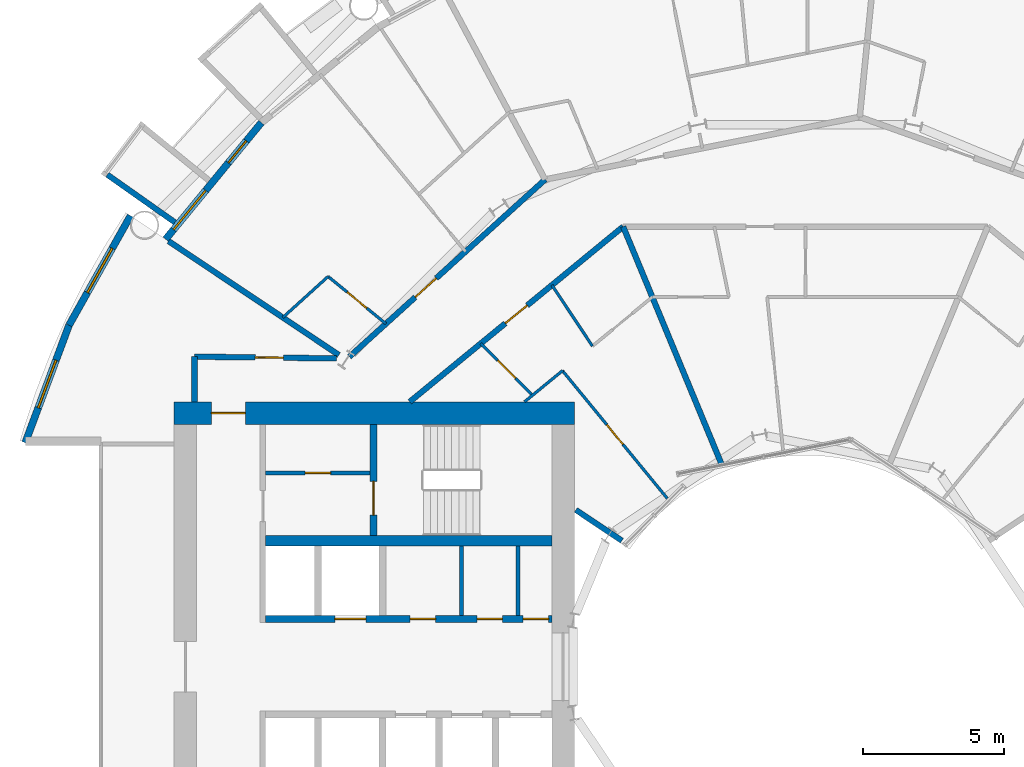
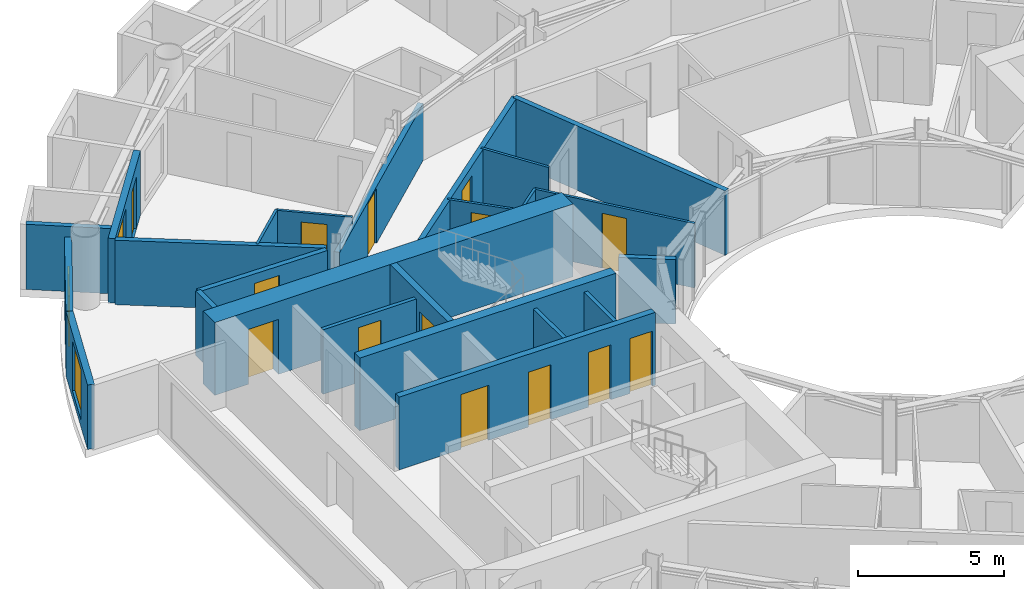
# One storey, part 18 of 26: 24 walls, 14 doors, 3 windows, 17 openings.
"""IFC4 building model written with IfcOpenShell, lengths in metres."""

from ifc_helpers import new_model, si_unit, direction, frame, frame_2d, origin, place, context, subcontext, project, spatial, rectangle, extrude, material, layer, layer_set, type_object, element, fill, save


model = new_model("IFC4")

# Units and contexts
model_context = context("Model", 3, precision=1e-05, world=origin(), true_north=direction((0.0, 1.0)))
body_context = subcontext(model_context, "Body", "Model", "MODEL_VIEW")
ifc_project = project(units=[si_unit("LENGTHUNIT", "METRE"), si_unit("AREAUNIT", "SQUARE_METRE"), si_unit("VOLUMEUNIT", "CUBIC_METRE"), si_unit("PLANEANGLEUNIT", "RADIAN"), si_unit("MASSUNIT", "GRAM", prefix="KILO")], contexts=[model_context])

# Site, building, storey
site_placement = place(None, origin())
site = spatial("IfcSite", under=ifc_project, at=site_placement, CompositionType="ELEMENT")
building_placement = place(site_placement, origin())
building = spatial("IfcBuilding", under=site, at=building_placement, Name="Maasbend Ring Residences", CompositionType="ELEMENT")
storey_placement = place(building_placement, frame((0.0, 0.0, 38.050048828125)))
storey = spatial("IfcBuildingStorey", under=building, at=storey_placement, Name="L10", CompositionType="ELEMENT", Elevation=38.050048828125)

# Wall, openings, doors
ifc_material_1 = material(Name="Concrete C70/85", Category="concrete")
ifc_layer_1 = layer(ifc_material_1, 0.25)
ifc_layer_set_1 = layer_set([ifc_layer_1], Name="Concrete C70/85")
wall_type_1 = type_object("IfcWallType", Name="CORE WALL 250 C70/85", PredefinedType="SHEAR", material=ifc_layer_set_1)
wall_1_placement = place(storey_placement, frame((-19.14990234375, 1.699951171875, 0.0), z_axis=(0.0, 0.0, 1.0), x_axis=(1.0, 0.0, 0.0)))
wall_1 = element("IfcWall", 1, at=wall_1_placement, inside=storey, type_object=wall_type_1, Name="L10 core W wall SPS", PredefinedType="SHEAR", context=body_context, shape_type="SweptSolid", body=[
    extrude(rectangle(XDim=10.14990234375, YDim=0.25, at=frame_2d((5.074951171875, 0.0))), origin(), (0.0, 0.0, 1.0), 3.050048828125),
])
opening_1_placement = place(wall_1_placement, frame((2.449951171875, 0.0, 0.0)))
opening_1 = element("IfcOpeningElement", 2, at=opening_1_placement, cuts=wall_1, Name="Opening LD-W1005", PredefinedType="OPENING", context=body_context, shape_type="SweptSolid", body=[
    extrude(rectangle(XDim=1.10009765625, YDim=2.300048828125, at=frame_2d((0.550048828125, 1.14990234375))), frame((0.0, 0.135009765625, 0.0), z_axis=(0.0, -1.0, 0.0), x_axis=(1.0, 0.0, 0.0)), (0.0, 0.0, 1.0), 0.27001953125),
])
opening_2_placement = place(wall_1_placement, frame((9.137451171875, 0.0, 0.0)))
opening_2 = element("IfcOpeningElement", 3, at=opening_2_placement, cuts=wall_1, Name="Opening D-W1006", PredefinedType="OPENING", context=body_context, shape_type="SweptSolid", body=[
    extrude(rectangle(XDim=0.89990234375, YDim=2.300048828125, at=frame_2d((0.449951171875, 1.14990234375))), frame((0.0, 0.135009765625, 0.0), z_axis=(0.0, -1.0, 0.0), x_axis=(1.0, 0.0, 0.0)), (0.0, 0.0, 1.0), 0.27001953125),
])
opening_3_placement = place(wall_1_placement, frame((7.5, 0.0, 0.0)))
opening_3 = element("IfcOpeningElement", 4, at=opening_3_placement, cuts=wall_1, Name="Opening D-W1007", PredefinedType="OPENING", context=body_context, shape_type="SweptSolid", body=[
    extrude(rectangle(XDim=0.89990234375, YDim=2.300048828125, at=frame_2d((0.449951171875, 1.14990234375))), frame((0.0, 0.135009765625, 0.0), z_axis=(0.0, -1.0, 0.0), x_axis=(1.0, 0.0, 0.0)), (0.0, 0.0, 1.0), 0.27001953125),
])
opening_4_placement = place(wall_1_placement, frame((5.125, 0.0, 0.0)))
opening_4 = element("IfcOpeningElement", 5, at=opening_4_placement, cuts=wall_1, Name="Opening D-W1008", PredefinedType="OPENING", context=body_context, shape_type="SweptSolid", body=[
    extrude(rectangle(XDim=0.89990234375, YDim=2.300048828125, at=frame_2d((0.449951171875, 1.14990234375))), frame((0.0, 0.135009765625, 0.0), z_axis=(0.0, -1.0, 0.0), x_axis=(1.0, 0.0, 0.0)), (0.0, 0.0, 1.0), 0.27001953125),
])
ifc_material_2 = material(Name="Stainless steel 316", Category="steel")
door_type_1 = type_object("IfcDoorType", Name="LANDING DOOR 1100 X 2300 FD60", OperationType="DOUBLE_DOOR_SLIDING", PredefinedType="DOOR", material=ifc_material_2)
door_1_placement = place(opening_1_placement, origin())
door_1 = element("IfcDoor", 6, at=door_1_placement, inside=storey, type_object=door_type_1, Name="Landing door SV-W L10", OperationType="DOUBLE_DOOR_SLIDING", OverallHeight=2.300048828125, OverallWidth=1.10009765625, PredefinedType="DOOR", context=body_context, shape_type="SweptSolid", body=[
    extrude(rectangle(XDim=1.10009765625, YDim=2.300048828125, at=frame_2d((0.550048828125, 1.14990234375))), frame((0.0, 0.02490234375, 0.0), z_axis=(0.0, -1.0, 0.0), x_axis=(1.0, 0.0, 0.0)), (0.0, 0.0, 1.0), 0.050048828125),
])
fill(opening_1, door_1)
ifc_material_3 = material(Name="Steel, powder coated", Category="steel")
door_type_2 = type_object("IfcDoorType", Name="ROOM DOOR 900 X 2300 FD30S", OperationType="NOTDEFINED", PredefinedType="DOOR", material=ifc_material_3)
door_2_placement = place(opening_2_placement, origin())
door_2 = element("IfcDoor", 7, at=door_2_placement, inside=storey, type_object=door_type_2, Name="Room door L10", OperationType="SINGLE_SWING_LEFT", OverallHeight=2.300048828125, OverallWidth=0.89990234375, PredefinedType="DOOR", context=body_context, shape_type="SweptSolid", body=[
    extrude(rectangle(XDim=0.89990234375, YDim=2.300048828125, at=frame_2d((0.449951171875, 1.14990234375))), frame((0.0, 0.02490234375, 0.0), z_axis=(0.0, -1.0, 0.0), x_axis=(1.0, 0.0, 0.0)), (0.0, 0.0, 1.0), 0.050048828125),
])
fill(opening_2, door_2)
door_3_placement = place(opening_3_placement, origin())
door_3 = element("IfcDoor", 8, at=door_3_placement, inside=storey, type_object=door_type_2, Name="Room door L10", OperationType="SINGLE_SWING_LEFT", OverallHeight=2.300048828125, OverallWidth=0.89990234375, PredefinedType="DOOR", context=body_context, shape_type="SweptSolid", body=[
    extrude(rectangle(XDim=0.89990234375, YDim=2.300048828125, at=frame_2d((0.449951171875, 1.14990234375))), frame((0.0, 0.02490234375, 0.0), z_axis=(0.0, -1.0, 0.0), x_axis=(1.0, 0.0, 0.0)), (0.0, 0.0, 1.0), 0.050048828125),
])
fill(opening_3, door_3)
door_4_placement = place(opening_4_placement, origin())
door_4 = element("IfcDoor", 9, at=door_4_placement, inside=storey, type_object=door_type_2, Name="Room door L10", OperationType="SINGLE_SWING_LEFT", OverallHeight=2.300048828125, OverallWidth=0.89990234375, PredefinedType="DOOR", context=body_context, shape_type="SweptSolid", body=[
    extrude(rectangle(XDim=0.89990234375, YDim=2.300048828125, at=frame_2d((0.449951171875, 1.14990234375))), frame((0.0, 0.02490234375, 0.0), z_axis=(0.0, -1.0, 0.0), x_axis=(1.0, 0.0, 0.0)), (0.0, 0.0, 1.0), 0.050048828125),
])
fill(opening_4, door_4)

# Wall, opening, door
wall_2_placement = place(storey_placement, frame((-15.324951171875, 8.60009765625, 0.0), z_axis=(0.0, 0.0, 1.0), x_axis=(0.0, -1.0, 0.0)))
wall_2 = element("IfcWall", 10, at=wall_2_placement, inside=storey, type_object=wall_type_1, Name="L10 core W wall STES", PredefinedType="SHEAR", context=body_context, shape_type="SweptSolid", body=[
    extrude(rectangle(XDim=3.9501953125, YDim=0.25, at=frame_2d((1.97509765625, 0.0))), origin(), (0.0, 0.0, 1.0), 3.050048828125),
])
opening_5_placement = place(wall_2_placement, frame((2.02490234375, 0.0, 0.0)))
opening_5 = element("IfcOpeningElement", 11, at=opening_5_placement, cuts=wall_2, Name="Opening D-W1011", PredefinedType="OPENING", context=body_context, shape_type="SweptSolid", body=[
    extrude(rectangle(XDim=1.199951171875, YDim=2.300048828125, at=frame_2d((0.60009765625, 1.14990234375))), frame((0.0, 0.135009765625, 0.0), z_axis=(0.0, -1.0, 0.0), x_axis=(1.0, 0.0, 0.0)), (0.0, 0.0, 1.0), 0.27001953125),
])
ifc_material_4 = material(Name="Steel, powder coated", Category="steel")
door_type_3 = type_object("IfcDoorType", Name="STAIR DOOR 1200 X 2300 FD60", OperationType="NOTDEFINED", PredefinedType="DOOR", material=ifc_material_4)
door_5_placement = place(opening_5_placement, origin())
door_5 = element("IfcDoor", 12, at=door_5_placement, inside=storey, type_object=door_type_3, Name="Stair door ST-W L10", OperationType="SINGLE_SWING_LEFT", OverallHeight=2.300048828125, OverallWidth=1.199951171875, PredefinedType="DOOR", context=body_context, shape_type="SweptSolid", body=[
    extrude(rectangle(XDim=1.199951171875, YDim=2.300048828125, at=frame_2d((0.60009765625, 1.14990234375))), frame((0.0, 0.02490234375, 0.0), z_axis=(0.0, -1.0, 0.0), x_axis=(1.0, 0.0, 0.0)), (0.0, 0.0, 1.0), 0.050048828125),
])
fill(opening_5, door_5)

# Wall
ifc_material_5 = material(Name="Concrete C70/85", Category="concrete")
ifc_layer_2 = layer(ifc_material_5, 0.375)
ifc_layer_set_2 = layer_set([ifc_layer_2], Name="Concrete C70/85")
wall_type_2 = type_object("IfcWallType", Name="CORE WALL 375 C70/85", PredefinedType="SHEAR", material=ifc_layer_set_2)
wall_3_placement = place(storey_placement, frame((-9.0, 4.46240234375, 0.0), z_axis=(0.0, 0.0, 1.0), x_axis=(-1.0, 0.0, 0.0)))
element("IfcWall", 13, at=wall_3_placement, inside=storey, type_object=wall_type_2, Name="L10 core W wall BS", PredefinedType="SHEAR", context=body_context, shape_type="SweptSolid", body=[
    extrude(rectangle(XDim=10.14990234375, YDim=0.375, at=frame_2d((5.074951171875, 0.0))), origin(), (0.0, 0.0, 1.0), 3.050048828125),
])

# Wall, opening, door
ifc_material_6 = material(Name="Concrete C70/85", Category="concrete")
ifc_layer_3 = layer(ifc_material_6, 0.800048828125)
ifc_layer_set_3 = layer_set([ifc_layer_3], Name="Concrete C70/85")
wall_type_3 = type_object("IfcWallType", Name="CORE WALL 800 C70/85", PredefinedType="SHEAR", material=ifc_layer_set_3)
wall_4_placement = place(storey_placement, frame((-8.199951171875, 9.0, 0.0), z_axis=(0.0, 0.0, 1.0), x_axis=(-1.0, 0.0, 0.0)))
wall_4 = element("IfcWall", 14, at=wall_4_placement, inside=storey, type_object=wall_type_3, Name="L10 core W wall PS", PredefinedType="SHEAR", context=body_context, shape_type="SweptSolid", body=[
    extrude(rectangle(XDim=14.199951171875, YDim=0.800048828125, at=frame_2d((7.10009765625, 0.0))), origin(), (0.0, 0.0, 1.0), 3.050048828125),
])
opening_6_placement = place(wall_4_placement, frame((11.675048828125, 0.0, 0.0)))
opening_6 = element("IfcOpeningElement", 15, at=opening_6_placement, cuts=wall_4, Name="Opening D-W1015", PredefinedType="OPENING", context=body_context, shape_type="SweptSolid", body=[
    extrude(rectangle(XDim=1.199951171875, YDim=2.300048828125, at=frame_2d((0.60009765625, 1.14990234375))), frame((0.0, 0.41015625, 0.0), z_axis=(0.0, -1.0, 0.0), x_axis=(1.0, 0.0, 0.0)), (0.0, 0.0, 1.0), 0.820068359375),
])
ifc_material_7 = material(Name="Steel, powder coated", Category="steel")
door_type_4 = type_object("IfcDoorType", Name="CORRIDOR DOOR 1200 X 2300 FD30S", OperationType="NOTDEFINED", PredefinedType="DOOR", material=ifc_material_7)
door_6_placement = place(opening_6_placement, origin())
door_6 = element("IfcDoor", 16, at=door_6_placement, inside=storey, type_object=door_type_4, Name="Corridor door L10", OperationType="SINGLE_SWING_LEFT", OverallHeight=2.300048828125, OverallWidth=1.199951171875, PredefinedType="DOOR", context=body_context, shape_type="SweptSolid", body=[
    extrude(rectangle(XDim=1.199951171875, YDim=2.300048828125, at=frame_2d((0.60009765625, 1.14990234375))), frame((0.0, 0.02490234375, 0.0), z_axis=(0.0, -1.0, 0.0), x_axis=(1.0, 0.0, 0.0)), (0.0, 0.0, 1.0), 0.050048828125),
])
fill(opening_6, door_6)

ifc_material_8 = material(Name="Concrete C30/37", Category="concrete")
ifc_layer_4 = layer(ifc_material_8, 0.199951171875)
ifc_layer_set_4 = layer_set([ifc_layer_4], Name="Concrete C30/37")
wall_type_4 = type_object("IfcWallType", Name="CORRIDOR WALL 200 CONCRETE", PredefinedType="PARTITIONING", material=ifc_layer_set_4)
wall_5_placement = place(storey_placement, frame((-21.675048828125, 11.0, 0.0), z_axis=(0.0, 0.0, 1.0), x_axis=(0.999926652916, -0.012111514691, 0.0)))
wall_5 = element("IfcWall", 17, at=wall_5_placement, inside=storey, type_object=wall_type_4, Name="U-L10-w095", PredefinedType="PARTITIONING", context=body_context, shape_type="SweptSolid", body=[
    extrude(rectangle(XDim=5.03955078125, YDim=0.199951171875, at=frame_2d((2.519775390625, 0.0))), origin(), (0.0, 0.0, 1.0), 2.699951171875),
])
opening_7_placement = place(wall_5_placement, frame((2.154052734375, 0.0, 0.0)))
opening_7 = element("IfcOpeningElement", 18, at=opening_7_placement, cuts=wall_5, Name="Opening D-1066", PredefinedType="OPENING", context=body_context, shape_type="SweptSolid", body=[
    extrude(rectangle(XDim=1.0, YDim=2.300048828125, at=frame_2d((0.5, 1.14990234375))), frame((0.0, 0.10986328125, 0.0), z_axis=(0.0, -1.0, 0.0), x_axis=(1.0, 0.0, 0.0)), (0.0, 0.0, 1.0), 0.219970703125),
])
ifc_material_9 = material(Name="Timber, painted", Category="wood")
door_type_5 = type_object("IfcDoorType", Name="ROOM DOOR 1000 X 2300", OperationType="NOTDEFINED", PredefinedType="DOOR", material=ifc_material_9)
door_7_placement = place(opening_7_placement, origin())
door_7 = element("IfcDoor", 19, at=door_7_placement, inside=storey, type_object=door_type_5, Name="D-1066", OperationType="SINGLE_SWING_RIGHT", OverallHeight=2.300048828125, OverallWidth=1.0, PredefinedType="DOOR", context=body_context, shape_type="SweptSolid", body=[
    extrude(rectangle(XDim=1.0, YDim=2.300048828125, at=frame_2d((0.5, 1.14990234375))), frame((0.0, 0.02490234375, 0.0), z_axis=(0.0, -1.0, 0.0), x_axis=(1.0, 0.0, 0.0)), (0.0, 0.0, 1.0), 0.050048828125),
])
fill(opening_7, door_7)

wall_6_placement = place(storey_placement, frame((-14.0390625, 9.39990234375, 0.0), z_axis=(0.0, 0.0, 1.0), x_axis=(0.77298340166, 0.634426245326, 0.0)))
wall_6 = element("IfcWall", 20, at=wall_6_placement, inside=storey, type_object=wall_type_4, Name="U-L10-w103", PredefinedType="PARTITIONING", context=body_context, shape_type="SweptSolid", body=[
    extrude(rectangle(XDim=9.793212890625, YDim=0.199951171875, at=frame_2d((4.896484375, 0.0))), origin(), (0.0, 0.0, 1.0), 2.699951171875),
])
opening_8_placement = place(wall_6_placement, frame((4.388916015625, 0.0, 0.0)))
opening_8 = element("IfcOpeningElement", 21, at=opening_8_placement, cuts=wall_6, Name="Opening D-1029", PredefinedType="OPENING", context=body_context, shape_type="SweptSolid", body=[
    extrude(rectangle(XDim=1.0, YDim=2.300048828125, at=frame_2d((0.5, 1.14990234375))), frame((0.0, 0.10986328125, 0.0), z_axis=(0.0, -1.0, 0.0), x_axis=(1.0, 0.0, 0.0)), (0.0, 0.0, 1.0), 0.219970703125),
])
ifc_material_10 = material(Name="Timber, fire-rated, painted", Category="wood")
door_type_6 = type_object("IfcDoorType", Name="FLAT ENTRANCE DOOR 1000 X 2300 FIRE-RATED", OperationType="NOTDEFINED", PredefinedType="DOOR", material=ifc_material_10)
door_8_placement = place(opening_8_placement, origin())
door_8 = element("IfcDoor", 22, at=door_8_placement, inside=storey, type_object=door_type_6, Name="D-1029", OperationType="SINGLE_SWING_LEFT", OverallHeight=2.300048828125, OverallWidth=1.0, PredefinedType="DOOR", context=body_context, shape_type="SweptSolid", body=[
    extrude(rectangle(XDim=1.0, YDim=2.300048828125, at=frame_2d((0.5, 1.14990234375))), frame((0.0, 0.02490234375, 0.0), z_axis=(0.0, -1.0, 0.0), x_axis=(1.0, 0.0, 0.0)), (0.0, 0.0, 1.0), 0.050048828125),
])
fill(opening_8, door_8)

wall_7_placement = place(storey_placement, frame((-16.179931640625, 10.9951171875, 0.0), z_axis=(0.0, 0.0, 1.0), x_axis=(0.74112906966, 0.671362571272, 0.0)))
wall_7 = element("IfcWall", 23, at=wall_7_placement, inside=storey, type_object=wall_type_4, Name="U-L10-w106", PredefinedType="PARTITIONING", context=body_context, shape_type="SweptSolid", body=[
    extrude(rectangle(XDim=9.375, YDim=0.199951171875, at=frame_2d((4.6875, 0.0))), origin(), (0.0, 0.0, 1.0), 2.3798828125),
])
opening_9_placement = place(wall_7_placement, frame((3.152099609375, 0.0, 0.0)))
opening_9 = element("IfcOpeningElement", 24, at=opening_9_placement, cuts=wall_7, Name="Opening D-1016", PredefinedType="OPENING", context=body_context, shape_type="SweptSolid", body=[
    extrude(rectangle(XDim=1.0, YDim=2.300048828125, at=frame_2d((0.5, 1.14990234375))), frame((0.0, 0.10986328125, 0.0), z_axis=(0.0, -1.0, 0.0), x_axis=(1.0, 0.0, 0.0)), (0.0, 0.0, 1.0), 0.219970703125),
])
door_9_placement = place(opening_9_placement, origin())
door_9 = element("IfcDoor", 25, at=door_9_placement, inside=storey, type_object=door_type_6, Name="D-1016", OperationType="SINGLE_SWING_LEFT", OverallHeight=2.300048828125, OverallWidth=1.0, PredefinedType="DOOR", context=body_context, shape_type="SweptSolid", body=[
    extrude(rectangle(XDim=1.0, YDim=2.300048828125, at=frame_2d((0.5, 1.14990234375))), frame((0.0, 0.02490234375, 0.0), z_axis=(0.0, -1.0, 0.0), x_axis=(1.0, 0.0, 0.0)), (0.0, 0.0, 1.0), 0.050048828125),
])
fill(opening_9, door_9)

# Walls
wall_8_placement = place(storey_placement, frame((-21.675048828125, 9.39990234375, 0.0), z_axis=(0.0, 0.0, 1.0), x_axis=(0.0, 1.0, 0.0)))
element("IfcWall", 26, at=wall_8_placement, inside=storey, type_object=wall_type_4, Name="U-L10-w116", PredefinedType="PARTITIONING", context=body_context, shape_type="SweptSolid", body=[
    extrude(rectangle(XDim=1.60009765625, YDim=0.199951171875, at=frame_2d((0.800048828125, 0.0))), origin(), (0.0, 0.0, 1.0), 2.699951171875),
])
ifc_material_11 = material(Name="Pale anodised aluminium panel", Category="aluminium")
ifc_layer_5 = layer(ifc_material_11, 0.199951171875)
ifc_layer_set_5 = layer_set([ifc_layer_5], Name="EW-BOX")
wall_type_5 = type_object("IfcWallType", Name="EW-BOX", PredefinedType="SOLIDWALL", material=ifc_layer_set_5)
wall_9_placement = place(storey_placement, frame((-22.3701171875, 15.764892578125, -0.030029296875), z_axis=(0.0, 0.0, 1.0), x_axis=(-0.817256123454, 0.576274612209, 0.0)))
element("IfcWall", 27, at=wall_9_placement, inside=storey, type_object=wall_type_5, Name="Box side wall N20 right", PredefinedType="SOLIDWALL", context=body_context, shape_type="SweptSolid", body=[
    extrude(rectangle(XDim=2.932861328125, YDim=0.199951171875, at=frame_2d((1.46630859375, 0.0))), origin(), (0.0, 0.0, 1.0), 2.72998046875),
])

# Wall, openings, door, window
ifc_material_12 = material(Name="Aluminium clad insulated panel", Category="aluminium")
ifc_layer_6 = layer(ifc_material_12, 0.25)
ifc_layer_set_6 = layer_set([ifc_layer_6], Name="EW-GL")
wall_type_6 = type_object("IfcWallType", Name="EW-GL", PredefinedType="SOLIDWALL", material=ifc_layer_set_6)
wall_10_placement = place(storey_placement, frame((-19.303955078125, 19.303955078125, 0.0), z_axis=(0.0, 0.0, 1.0), x_axis=(-0.634382322723, -0.773019449054, 0.0)))
wall_10 = element("IfcWall", 28, at=wall_10_placement, inside=storey, type_object=wall_type_6, Name="External wall N10", PredefinedType="SOLIDWALL", context=body_context, shape_type="SweptSolid", body=[
    extrude(rectangle(XDim=5.351806640625, YDim=0.25, at=frame_2d((2.67578125, 0.0))), origin(), (0.0, 0.0, 1.0), 2.699951171875),
])
opening_10_placement = place(wall_10_placement, frame((0.841064453125, 0.0, 0.0)))
opening_10 = element("IfcOpeningElement", 29, at=opening_10_placement, cuts=wall_10, Name="Opening D-LG", PredefinedType="OPENING", context=body_context, shape_type="SweptSolid", body=[
    extrude(rectangle(XDim=1.0, YDim=2.199951171875, at=frame_2d((0.5, 1.10009765625))), frame((0.0, 0.135009765625, 0.0), z_axis=(0.0, -1.0, 0.0), x_axis=(1.0, 0.0, 0.0)), (0.0, 0.0, 1.0), 0.27001953125),
])
opening_11_placement = place(wall_10_placement, frame((3.110595703125, 0.0, 0.300048828125)))
opening_11 = element("IfcOpeningElement", 30, at=opening_11_placement, cuts=wall_10, Name="Opening W-BX", PredefinedType="OPENING", context=body_context, shape_type="SweptSolid", body=[
    extrude(rectangle(XDim=1.800048828125, YDim=2.10009765625, at=frame_2d((0.89990234375, 1.050048828125))), frame((0.0, 0.135009765625, 0.0), z_axis=(0.0, -1.0, 0.0), x_axis=(1.0, 0.0, 0.0)), (0.0, 0.0, 1.0), 0.27001953125),
])
ifc_material_13 = material(Name="Aluminium and clear glass", Category="aluminium")
door_type_7 = type_object("IfcDoorType", Name="D-LG", OperationType="SINGLE_SWING_LEFT", PredefinedType="DOOR", material=ifc_material_13)
door_10_placement = place(opening_10_placement, origin())
door_10 = element("IfcDoor", 31, at=door_10_placement, inside=storey, type_object=door_type_7, Name="Loggia door N19", OperationType="SINGLE_SWING_LEFT", OverallHeight=2.199951171875, OverallWidth=1.0, PredefinedType="DOOR", context=body_context, shape_type="SweptSolid", body=[
    extrude(rectangle(XDim=1.0, YDim=2.199951171875, at=frame_2d((0.5, 1.10009765625))), frame((0.0, 0.02490234375, 0.0), z_axis=(0.0, -1.0, 0.0), x_axis=(1.0, 0.0, 0.0)), (0.0, 0.0, 1.0), 0.050048828125),
])
fill(opening_10, door_10)
ifc_material_14 = material(Name="Aluminium and clear glass", Category="aluminium")
window_type = type_object("IfcWindowType", Name="W-BX", PartitioningType="DOUBLE_PANEL_VERTICAL", PredefinedType="WINDOW", material=ifc_material_14)
window_1_placement = place(opening_11_placement, origin())
window_1 = element("IfcWindow", 32, at=window_1_placement, inside=storey, type_object=window_type, Name="Window N20 room to box", OverallHeight=2.10009765625, OverallWidth=1.800048828125, PartitioningType="SINGLE_PANEL", PredefinedType="WINDOW", context=body_context, shape_type="SweptSolid", body=[
    extrude(rectangle(XDim=1.800048828125, YDim=2.10009765625, at=frame_2d((0.89990234375, 1.050048828125))), frame((0.0, 0.030029296875, 0.0), z_axis=(0.0, -1.0, 0.0), x_axis=(1.0, 0.0, 0.0)), (0.0, 0.0, 1.0), 0.06005859375),
])
fill(opening_11, window_1)

# Wall, opening, window
ifc_material_15 = material(Name="Aluminium clad insulated panel", Category="aluminium")
ifc_layer_7 = layer(ifc_material_15, 0.25)
ifc_layer_set_7 = layer_set([ifc_layer_7], Name="EW-HORN")
wall_type_7 = type_object("IfcWallType", Name="EW-HORN", PredefinedType="SOLIDWALL", material=ifc_layer_set_7)
wall_11_placement = place(storey_placement, frame((-23.946044921875, 16.0, 0.0), z_axis=(0.0, 0.0, 1.0), x_axis=(-0.489696356642, -0.871893042919, 0.0)))
wall_11 = element("IfcWall", 33, at=wall_11_placement, inside=storey, type_object=wall_type_7, Name="Horn wall 4.1", PredefinedType="SOLIDWALL", context=body_context, shape_type="SweptSolid", body=[
    extrude(rectangle(XDim=4.45361328125, YDim=0.25, at=frame_2d((2.226806640625, 0.0))), origin(), (0.0, 0.0, 1.0), 2.699951171875),
])
opening_12_placement = place(wall_11_placement, frame((1.32666015625, 0.0, 0.300048828125)))
opening_12 = element("IfcOpeningElement", 34, at=opening_12_placement, cuts=wall_11, Name="Opening W-BX", PredefinedType="OPENING", context=body_context, shape_type="SweptSolid", body=[
    extrude(rectangle(XDim=1.800048828125, YDim=2.10009765625, at=frame_2d((0.89990234375, 1.050048828125))), frame((0.0, 0.135009765625, 0.0), z_axis=(0.0, -1.0, 0.0), x_axis=(1.0, 0.0, 0.0)), (0.0, 0.0, 1.0), 0.27001953125),
])
window_2_placement = place(opening_12_placement, origin())
window_2 = element("IfcWindow", 35, at=window_2_placement, inside=storey, type_object=window_type, Name="Horn window 4.1", OverallHeight=2.10009765625, OverallWidth=1.800048828125, PartitioningType="SINGLE_PANEL", PredefinedType="WINDOW", context=body_context, shape_type="SweptSolid", body=[
    extrude(rectangle(XDim=1.800048828125, YDim=2.10009765625, at=frame_2d((0.89990234375, 1.050048828125))), frame((0.0, 0.030029296875, 0.0), z_axis=(0.0, -1.0, 0.0), x_axis=(1.0, 0.0, 0.0)), (0.0, 0.0, 1.0), 0.06005859375),
])
fill(opening_12, window_2)

wall_12_placement = place(storey_placement, frame((-26.126953125, 12.116943359375, 0.0), z_axis=(0.0, 0.0, 1.0), x_axis=(-0.349247811493, -0.937030397675, 0.0)))
wall_12 = element("IfcWall", 36, at=wall_12_placement, inside=storey, type_object=wall_type_7, Name="Horn wall 4.2", PredefinedType="SOLIDWALL", context=body_context, shape_type="SweptSolid", body=[
    extrude(rectangle(XDim=4.4521484375, YDim=0.25, at=frame_2d((2.22607421875, 0.0))), origin(), (0.0, 0.0, 1.0), 2.699951171875),
])
opening_13_placement = place(wall_12_placement, frame((1.32666015625, 0.0, 0.300048828125)))
opening_13 = element("IfcOpeningElement", 37, at=opening_13_placement, cuts=wall_12, Name="Opening W-BX", PredefinedType="OPENING", context=body_context, shape_type="SweptSolid", body=[
    extrude(rectangle(XDim=1.800048828125, YDim=2.10009765625, at=frame_2d((0.89990234375, 1.050048828125))), frame((0.0, 0.135009765625, 0.0), z_axis=(0.0, -1.0, 0.0), x_axis=(1.0, 0.0, 0.0)), (0.0, 0.0, 1.0), 0.27001953125),
])
window_3_placement = place(opening_13_placement, origin())
window_3 = element("IfcWindow", 38, at=window_3_placement, inside=storey, type_object=window_type, Name="Horn window 4.2", OverallHeight=2.10009765625, OverallWidth=1.800048828125, PartitioningType="SINGLE_PANEL", PredefinedType="WINDOW", context=body_context, shape_type="SweptSolid", body=[
    extrude(rectangle(XDim=1.800048828125, YDim=2.10009765625, at=frame_2d((0.89990234375, 1.050048828125))), frame((0.0, 0.030029296875, 0.0), z_axis=(0.0, -1.0, 0.0), x_axis=(1.0, 0.0, 0.0)), (0.0, 0.0, 1.0), 0.06005859375),
])
fill(opening_13, window_3)

# Wall, opening, door
ifc_material_16 = material(Name="Gypsum board on steel studs", Category="steel")
ifc_layer_8 = layer(ifc_material_16, 0.10009765625)
ifc_layer_set_8 = layer_set([ifc_layer_8], Name="PARTITION 100 GYPSUM")
wall_type_8 = type_object("IfcWallType", Name="PARTITION 100 GYPSUM", PredefinedType="PARTITIONING", material=ifc_layer_set_8)
wall_13_placement = place(storey_placement, frame((-16.93603515625, 13.844970703125, 0.0), z_axis=(0.0, 0.0, 1.0), x_axis=(0.774162545943, -0.632986850147, 0.0)))
wall_13 = element("IfcWall", 39, at=wall_13_placement, inside=storey, type_object=wall_type_8, Name="U-L10-w033", PredefinedType="PARTITIONING", context=body_context, shape_type="SweptSolid", body=[
    extrude(rectangle(XDim=2.6494140625, YDim=0.10009765625, at=frame_2d((1.32470703125, 0.0))), origin(), (0.0, 0.0, 1.0), 2.699951171875),
])
opening_14_placement = place(wall_13_placement, frame((0.875, 0.0, 0.0)))
opening_14 = element("IfcOpeningElement", 40, at=opening_14_placement, cuts=wall_13, Name="Opening D-1017", PredefinedType="OPENING", context=body_context, shape_type="SweptSolid", body=[
    extrude(rectangle(XDim=0.89990234375, YDim=2.300048828125, at=frame_2d((0.449951171875, 1.14990234375))), frame((0.0, 0.06005859375, 0.0), z_axis=(0.0, -1.0, 0.0), x_axis=(1.0, 0.0, 0.0)), (0.0, 0.0, 1.0), 0.1201171875),
])
ifc_material_17 = material(Name="Timber, painted", Category="wood")
door_type_8 = type_object("IfcDoorType", Name="INTERNAL DOOR 900 X 2300", OperationType="NOTDEFINED", PredefinedType="DOOR", material=ifc_material_17)
door_11_placement = place(opening_14_placement, origin())
door_11 = element("IfcDoor", 41, at=door_11_placement, inside=storey, type_object=door_type_8, Name="D-1017", OperationType="SINGLE_SWING_LEFT", OverallHeight=2.300048828125, OverallWidth=0.89990234375, PredefinedType="DOOR", context=body_context, shape_type="SweptSolid", body=[
    extrude(rectangle(XDim=0.89990234375, YDim=2.300048828125, at=frame_2d((0.449951171875, 1.14990234375))), frame((0.0, 0.02490234375, 0.0), z_axis=(0.0, -1.0, 0.0), x_axis=(1.0, 0.0, 0.0)), (0.0, 0.0, 1.0), 0.050048828125),
])
fill(opening_14, door_11)

wall_14_placement = place(storey_placement, frame((-11.52392578125, 11.464111328125, 0.0), z_axis=(0.0, 0.0, 1.0), x_axis=(0.708796844581, -0.705412668665, 0.0)))
wall_14 = element("IfcWall", 42, at=wall_14_placement, inside=storey, type_object=wall_type_8, Name="U-L10-w039", PredefinedType="PARTITIONING", context=body_context, shape_type="SweptSolid", body=[
    extrude(rectangle(XDim=2.59716796875, YDim=0.10009765625, at=frame_2d((1.298583984375, 0.0))), origin(), (0.0, 0.0, 1.0), 2.699951171875),
])
opening_15_placement = place(wall_14_placement, frame((0.84912109375, 0.0, 0.0)))
opening_15 = element("IfcOpeningElement", 43, at=opening_15_placement, cuts=wall_14, Name="Opening D-1031", PredefinedType="OPENING", context=body_context, shape_type="SweptSolid", body=[
    extrude(rectangle(XDim=0.89990234375, YDim=2.300048828125, at=frame_2d((0.449951171875, 1.14990234375))), frame((0.0, 0.06005859375, 0.0), z_axis=(0.0, -1.0, 0.0), x_axis=(1.0, 0.0, 0.0)), (0.0, 0.0, 1.0), 0.1201171875),
])
door_12_placement = place(opening_15_placement, origin())
door_12 = element("IfcDoor", 44, at=door_12_placement, inside=storey, type_object=door_type_8, Name="D-1031", OperationType="SINGLE_SWING_RIGHT", OverallHeight=2.300048828125, OverallWidth=0.89990234375, PredefinedType="DOOR", context=body_context, shape_type="SweptSolid", body=[
    extrude(rectangle(XDim=0.89990234375, YDim=2.300048828125, at=frame_2d((0.449951171875, 1.14990234375))), frame((0.0, 0.02490234375, 0.0), z_axis=(0.0, -1.0, 0.0), x_axis=(1.0, 0.0, 0.0)), (0.0, 0.0, 1.0), 0.050048828125),
])
fill(opening_15, door_12)

# Wall
wall_15_placement = place(storey_placement, frame((-8.99609375, 13.5390625, 0.0), z_axis=(0.0, 0.0, 1.0), x_axis=(0.553615197403, -0.83277260594, 0.0)))
element("IfcWall", 45, at=wall_15_placement, inside=storey, type_object=wall_type_8, Name="U-L10-w041", PredefinedType="PARTITIONING", context=body_context, shape_type="SweptSolid", body=[
    extrude(rectangle(XDim=2.597412109375, YDim=0.10009765625, at=frame_2d((1.298828125, 0.0))), origin(), (0.0, 0.0, 1.0), 2.699951171875),
])

# Wall, opening, door
wall_16_placement = place(storey_placement, frame((-8.62109375, 10.5029296875, 0.0), z_axis=(0.0, 0.0, 1.0), x_axis=(0.634358693064, -0.773038840249, 0.0)))
wall_16 = element("IfcWall", 46, at=wall_16_placement, inside=storey, type_object=wall_type_8, Name="U-L10-w043", PredefinedType="PARTITIONING", context=body_context, shape_type="SweptSolid", body=[
    extrude(rectangle(XDim=5.86767578125, YDim=0.10009765625, at=frame_2d((2.933837890625, 0.0))), origin(), (0.0, 0.0, 1.0), 2.699951171875),
])
opening_16_placement = place(wall_16_placement, frame((2.48388671875, 0.0, 0.0)))
opening_16 = element("IfcOpeningElement", 47, at=opening_16_placement, cuts=wall_16, Name="Opening D-1032", PredefinedType="OPENING", context=body_context, shape_type="SweptSolid", body=[
    extrude(rectangle(XDim=0.89990234375, YDim=2.300048828125, at=frame_2d((0.449951171875, 1.14990234375))), frame((0.0, 0.06005859375, 0.0), z_axis=(0.0, -1.0, 0.0), x_axis=(1.0, 0.0, 0.0)), (0.0, 0.0, 1.0), 0.1201171875),
])
door_13_placement = place(opening_16_placement, origin())
door_13 = element("IfcDoor", 48, at=door_13_placement, inside=storey, type_object=door_type_8, Name="D-1032", OperationType="SINGLE_SWING_LEFT", OverallHeight=2.300048828125, OverallWidth=0.89990234375, PredefinedType="DOOR", context=body_context, shape_type="SweptSolid", body=[
    extrude(rectangle(XDim=0.89990234375, YDim=2.300048828125, at=frame_2d((0.449951171875, 1.14990234375))), frame((0.0, 0.02490234375, 0.0), z_axis=(0.0, -1.0, 0.0), x_axis=(1.0, 0.0, 0.0)), (0.0, 0.0, 1.0), 0.050048828125),
])
fill(opening_16, door_13)

# Walls
wall_17_placement = place(storey_placement, frame((-9.965087890625, 9.39990234375, 0.0), z_axis=(0.0, 0.0, 1.0), x_axis=(0.773141825369, 0.634233173104, 0.0)))
element("IfcWall", 49, at=wall_17_placement, inside=storey, type_object=wall_type_8, Name="U-L10-w098", PredefinedType="PARTITIONING", context=body_context, shape_type="SweptSolid", body=[
    extrude(rectangle(XDim=1.748779296875, YDim=0.10009765625, at=frame_2d((0.87451171875, 0.0))), origin(), (0.0, 0.0, 1.0), 2.699951171875),
])
wall_18_placement = place(storey_placement, frame((-18.5400390625, 12.39208984375, 0.0), z_axis=(0.0, 0.0, 1.0), x_axis=(0.741319612235, 0.671152167929, 0.0)))
element("IfcWall", 50, at=wall_18_placement, inside=storey, type_object=wall_type_8, Name="U-L10-w111", PredefinedType="PARTITIONING", context=body_context, shape_type="SweptSolid", body=[
    extrude(rectangle(XDim=2.167724609375, YDim=0.10009765625, at=frame_2d((1.083984375, 0.0))), origin(), (0.0, 0.0, 1.0), 2.699951171875),
])
ifc_material_18 = material(Name="Gypsum board on steel studs", Category="steel")
ifc_layer_9 = layer(ifc_material_18, 0.14990234375)
ifc_layer_set_9 = layer_set([ifc_layer_9], Name="PARTITION 150 EI 60")
wall_type_9 = type_object("IfcWallType", Name="PARTITION 150 EI 60", PredefinedType="PARTITIONING", material=ifc_layer_set_9)
for number, where, z_axis, x_axis, name in (
    (51, (-10.199951171875, 1.824951171875, 0.0), (0.0, 0.0, 1.0), (0.0, 1.0, 0.0), "L10 core W wall PRS1020"),
    (52, (-12.199951171875, 1.824951171875, 0.0), (0.0, 0.0, 1.0), (0.0, 1.0, 0.0), "L10 core W wall PRS1220"),
):
    element("IfcWall", number, at=place(storey_placement, frame(where, z_axis=z_axis, x_axis=x_axis)), inside=storey, type_object=wall_type_9, Name=name, PredefinedType="PARTITIONING", context=body_context, shape_type="SweptSolid", body=[
        extrude(rectangle(XDim=2.449951171875, YDim=0.14990234375, at=frame_2d((1.22509765625, 0.0))), origin(), (0.0, 0.0, 1.0), 2.699951171875),
    ])

# Wall, opening, door
wall_19_placement = place(storey_placement, frame((-15.449951171875, 6.875, 0.0), z_axis=(0.0, 0.0, 1.0), x_axis=(-1.0, 0.0, 0.0)))
wall_19 = element("IfcWall", 53, at=wall_19_placement, inside=storey, type_object=wall_type_9, Name="L10 core W wall RHS", PredefinedType="PARTITIONING", context=body_context, shape_type="SweptSolid", body=[
    extrude(rectangle(XDim=3.699951171875, YDim=0.14990234375, at=frame_2d((1.85009765625, 0.0))), origin(), (0.0, 0.0, 1.0), 2.699951171875),
])
opening_17_placement = place(wall_19_placement, frame((1.39990234375, 0.0, 0.0)))
opening_17 = element("IfcOpeningElement", 54, at=opening_17_placement, cuts=wall_19, Name="Opening D-W1009", PredefinedType="OPENING", context=body_context, shape_type="SweptSolid", body=[
    extrude(rectangle(XDim=0.89990234375, YDim=2.300048828125, at=frame_2d((0.449951171875, 1.14990234375))), frame((0.0, 0.0849609375, 0.0), z_axis=(0.0, -1.0, 0.0), x_axis=(1.0, 0.0, 0.0)), (0.0, 0.0, 1.0), 0.169921875),
])
ifc_material_19 = material(Name="Steel, powder coated", Category="steel")
door_type_9 = type_object("IfcDoorType", Name="RISER DOOR 900 X 2300 FD60", OperationType="NOTDEFINED", PredefinedType="DOOR", material=ifc_material_19)
door_14_placement = place(opening_17_placement, origin())
door_14 = element("IfcDoor", 55, at=door_14_placement, inside=storey, type_object=door_type_9, Name="Riser door L10", OperationType="SINGLE_SWING_LEFT", OverallHeight=2.300048828125, OverallWidth=0.89990234375, PredefinedType="DOOR", context=body_context, shape_type="SweptSolid", body=[
    extrude(rectangle(XDim=0.89990234375, YDim=2.300048828125, at=frame_2d((0.449951171875, 1.14990234375))), frame((0.0, 0.02490234375, 0.0), z_axis=(0.0, -1.0, 0.0), x_axis=(1.0, 0.0, 0.0)), (0.0, 0.0, 1.0), 0.050048828125),
])
fill(opening_17, door_14)

# Walls
ifc_material_20 = material(Name="Concrete C30/37", Category="concrete")
ifc_layer_10 = layer(ifc_material_20, 0.199951171875)
ifc_layer_set_10 = layer_set([ifc_layer_10], Name="Concrete C30/37")
wall_type_10 = type_object("IfcWallType", Name="PARTY WALL 200 CONCRETE", PredefinedType="PARTITIONING", material=ifc_layer_set_10)
wall_20_placement = place(storey_placement, frame((-22.594970703125, 15.097900390625, 0.0), z_axis=(0.0, 0.0, 1.0), x_axis=(0.831403467378, -0.55566921314, 0.0)))
element("IfcWall", 56, at=wall_20_placement, inside=storey, type_object=wall_type_10, Name="U-L10-w030", PredefinedType="PARTITIONING", context=body_context, shape_type="SweptSolid", body=[
    extrude(rectangle(XDim=7.264892578125, YDim=0.199951171875, at=frame_2d((3.63232421875, 0.0))), origin(), (0.0, 0.0, 1.0), 2.699951171875),
])
wall_21_placement = place(storey_placement, frame((-6.467041015625, 15.614013671875, 0.0), z_axis=(0.0, 0.0, 1.0), x_axis=(0.382556139466, -0.923932248683, 0.0)))
element("IfcWall", 57, at=wall_21_placement, inside=storey, type_object=wall_type_10, Name="U-L10-w046", PredefinedType="PARTITIONING", context=body_context, shape_type="SweptSolid", body=[
    extrude(rectangle(XDim=9.18017578125, YDim=0.199951171875, at=frame_2d((4.590087890625, 0.0))), origin(), (0.0, 0.0, 1.0), 2.699951171875),
])
wall_22_placement = place(storey_placement, frame((-6.512939453125, 4.471923828125, 0.0), z_axis=(0.0, 0.0, 1.0), x_axis=(-0.831417956244, 0.555647533996, 0.0)))
element("IfcWall", 58, at=wall_22_placement, inside=storey, type_object=wall_type_10, Name="U-L10-w092", PredefinedType="PARTITIONING", context=body_context, shape_type="SweptSolid", body=[
    extrude(rectangle(XDim=1.9619140625, YDim=0.199951171875, at=frame_2d((0.98095703125, 0.0))), origin(), (0.0, 0.0, 1.0), 2.699951171875),
])

save(model, "model.ifc")
